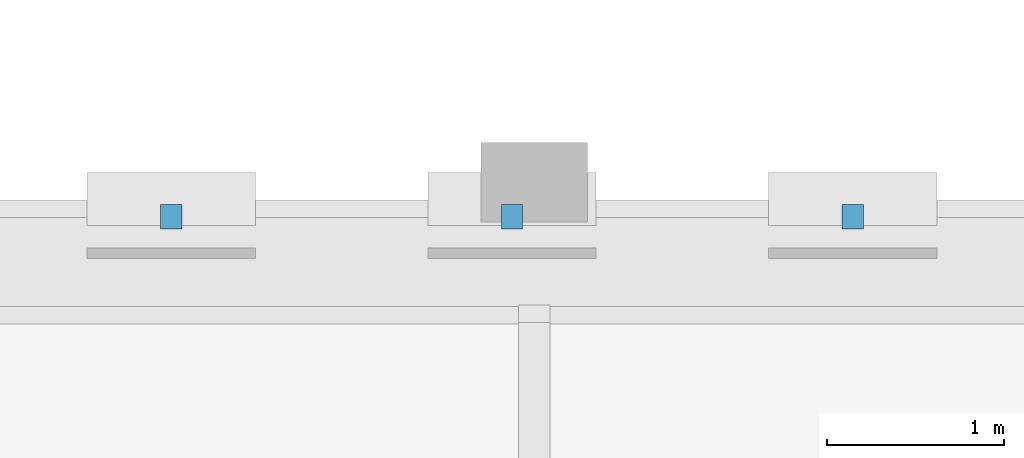
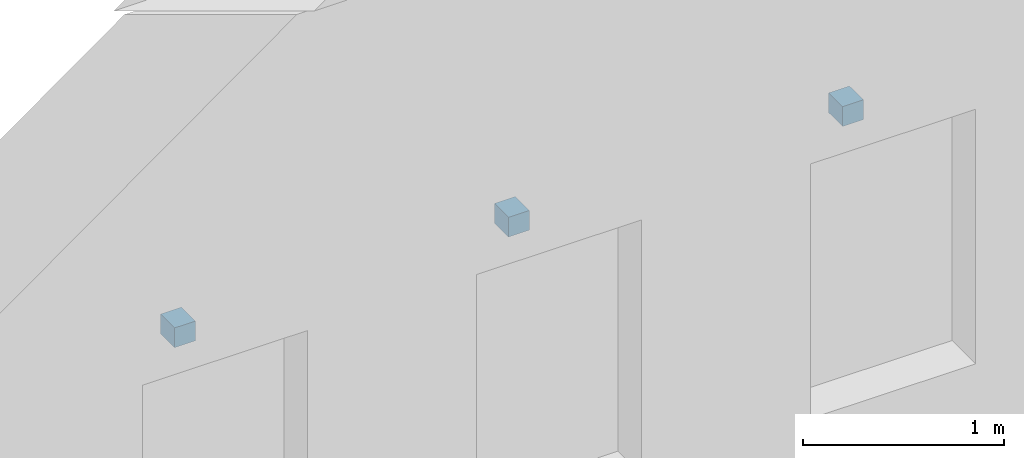
# One storey, part 103 of 113: 3 discrete accessories.
"""IFC4 building model written with IfcOpenShell, lengths in metres."""

import ifcopenshell
import ifcopenshell.guid

model = None  # the IFC model being written
_history = None  # IfcOwnerHistory: only IFC2X3 demands one
_inside = {}  # id of a spatial element -> (the spatial element, [elements in it])
_under = {}  # id of a project, library or spatial element -> (it, [spatial elements below it])
_declared = {}  # id of a project -> (the project, [libraries it declares])
_typed = {}  # id of a type object -> (the type object, [elements of that type])
_made_of = {}  # id of a material, layer set ... -> (it, [elements and type objects made of it])


def new_model(schema):
    """Start an empty IFC model of exactly this schema.

    Asked for "IFC4X3", IfcOpenShell would pick the latest addendum, in which some entities
    have other attributes; the version numbers below select the first issue.
    IFC2X3 requires an IfcOwnerHistory on every rooted entity: one is made here for all.
    """
    global model, _history
    if schema == "IFC4X3":
        model = ifcopenshell.file(schema_version=(4, 3, 0, 0))
    else:
        model = ifcopenshell.file(schema=schema)
    _inside.clear()
    _under.clear()
    _declared.clear()
    _typed.clear()
    _made_of.clear()
    _history = None
    if model.schema == "IFC2X3":
        org = make("IfcOrganization", Name="unknown")
        user = make(
            "IfcPersonAndOrganization",
            ThePerson=make("IfcPerson", FamilyName="unknown"),
            TheOrganization=org,
        )
        app = make(
            "IfcApplication",
            ApplicationDeveloper=org,
            Version="unknown",
            ApplicationFullName="unknown",
            ApplicationIdentifier="unknown",
        )
        _history = make(
            "IfcOwnerHistory",
            OwningUser=user,
            OwningApplication=app,
            ChangeAction="ADDED",
            CreationDate=0,
        )
    return model


def make(cls, **values):
    """One entity of the class cls with the attributes given. An attribute that is None is left unset."""
    return model.create_entity(
        cls, **{name: value for name, value in values.items() if value is not None}
    )


def rooted(cls, **values):
    """An entity with a GlobalId (a new one), such as an element, a storey or a relation."""
    return make(cls, GlobalId=ifcopenshell.guid.new(), OwnerHistory=_history, **values)


def si_unit(unit_type, name, prefix=None):
    """IfcSIUnit, for example si_unit("LENGTHUNIT", "METRE", prefix="MILLI")."""
    return make("IfcSIUnit", UnitType=unit_type, Prefix=prefix, Name=name)


def assignment(units):
    """IfcUnitAssignment: the units of a project."""
    return None if units is None else make("IfcUnitAssignment", Units=units)


def point(xyz):
    """IfcCartesianPoint."""
    return None if xyz is None else make("IfcCartesianPoint", Coordinates=xyz)


def direction(xyz):
    """IfcDirection."""
    return None if xyz is None else make("IfcDirection", DirectionRatios=xyz)


def frame(location, z_axis=None, x_axis=None):
    """IfcAxis2Placement3D, a coordinate frame: its origin and axes. An axis left out is left unset."""
    return make(
        "IfcAxis2Placement3D",
        Location=point(location),
        Axis=direction(z_axis),
        RefDirection=direction(x_axis),
    )


def frame_2d(location, x_axis=None):
    """IfcAxis2Placement2D, a coordinate frame in the plane: its origin and x axis."""
    return make(
        "IfcAxis2Placement2D", Location=point(location), RefDirection=direction(x_axis)
    )


def origin():
    """The frame at (0, 0, 0) with its axes left unset."""
    return frame((0.0, 0.0, 0.0))


def origin_2d():
    """The frame at (0, 0) in the plane with its x axis left unset."""
    return frame_2d((0.0, 0.0))


def place(relative_to, where):
    """IfcLocalPlacement: puts the frame where relative to a parent placement (None: the world)."""
    return make(
        "IfcLocalPlacement", PlacementRelTo=relative_to, RelativePlacement=where
    )


def context(
    kind, dimensions, precision=None, world=None, true_north=None, identifier=None
):
    """IfcGeometricRepresentationContext, for example the 3D "Model" context."""
    return make(
        "IfcGeometricRepresentationContext",
        ContextIdentifier=identifier,
        ContextType=kind,
        CoordinateSpaceDimension=dimensions,
        Precision=precision,
        WorldCoordinateSystem=world,
        TrueNorth=true_north,
    )


def subcontext(parent, identifier, kind, view, scale=None):
    """IfcGeometricRepresentationSubContext, for example "Body" below "Model"."""
    return make(
        "IfcGeometricRepresentationSubContext",
        ContextIdentifier=identifier,
        ContextType=kind,
        ParentContext=parent,
        TargetScale=scale,
        TargetView=view,
    )


def project(units=None, contexts=None):
    """IfcProject with its units and contexts."""
    return rooted(
        "IfcProject",
        Name="project",
        RepresentationContexts=contexts,
        UnitsInContext=assignment(units),
    )


def spatial(cls, under=None, at=None, **own):
    """A site, building, storey or space (cls), placed at a placement, below another one or the project."""
    s = rooted(cls, ObjectPlacement=at, **own)
    if under is not None:
        _under.setdefault(under.id(), (under, []))[1].append(s)
    return s


def profile(cls, at=None, kind="AREA", **sizes):
    """A parametric profile (cls). Its sizes go by their IFC names, for example OverallWidth=200.0."""
    return make(cls, ProfileType=kind, Position=at, **sizes)


def rectangle(**sizes):
    """IfcRectangleProfileDef."""
    return profile("IfcRectangleProfileDef", **sizes)


def extrude(swept, where, along, depth):
    """IfcExtrudedAreaSolid: the profile swept, set in the frame where, extruded along a direction by depth."""
    return make(
        "IfcExtrudedAreaSolid",
        SweptArea=swept,
        Position=where,
        ExtrudedDirection=direction(along),
        Depth=depth,
    )


def shape(context_of_items, identifier, shape_type, items):
    """IfcShapeRepresentation: the items that make up one representation, for example the "Body"."""
    return make(
        "IfcShapeRepresentation",
        ContextOfItems=context_of_items,
        RepresentationIdentifier=identifier,
        RepresentationType=shape_type,
        Items=items,
    )


def material(Name=None, Category=None):
    """IfcMaterial."""
    return make("IfcMaterial", Name=Name, Category=Category)


def made_of(thing, what):
    """Note that an element or type object is made of a material, layer set ...; save() writes the relation."""
    if what is not None:
        _made_of.setdefault(what.id(), (what, []))[1].append(thing)
    return thing


def type_object(cls, material=None, **own):
    """A type object (cls), such as IfcWallType, which elements share."""
    return made_of(rooted(cls, **own), material)


def element(
    cls,
    number,
    at=None,
    inside=None,
    cuts=None,
    type_object=None,
    material=None,
    context=None,
    identifier="Body",
    shape_type=None,
    held_by="IfcProductDefinitionShape",
    body=None,
    shapes=None,
    **own,
):
    """One element of the class cls, such as IfcWall. Its Tag is "e" and its number.

    at: its placement. inside: the storey or other place that contains it. cuts: it is an
    opening in that element (IfcRelVoidsElement). A single representation is given by context,
    identifier, shape_type and body (its items); several are given by shapes. held_by: the class
    of the entity that holds the representations. save() writes the other relations.
    """
    e = rooted(cls, Tag="e%d" % number, ObjectPlacement=at, **own)
    if body is not None:
        shapes = [shape(context, identifier, shape_type, body)]
    if shapes is not None:
        e.Representation = make(held_by, Representations=shapes)
    if inside is not None:
        _inside.setdefault(inside.id(), (inside, []))[1].append(e)
    if cuts is not None:
        rooted(
            "IfcRelVoidsElement", RelatingBuildingElement=cuts, RelatedOpeningElement=e
        )
    if type_object is not None:
        _typed.setdefault(type_object.id(), (type_object, []))[1].append(e)
    return made_of(e, material)


def aggregate(whole, parts):
    """IfcRelAggregates: a whole, such as a stair, and the parts it consists of."""
    return rooted("IfcRelAggregates", RelatingObject=whole, RelatedObjects=parts)


def save(model, path):
    """Write the relations noted so far, then the file.

    IfcRelAggregates (storeys below a building ...), IfcRelContainedInSpatialStructure (elements
    in a storey), IfcRelDefinesByType, IfcRelAssociatesMaterial and IfcRelDeclares: one each for
    every whole, place, type object, material and project.
    """
    for whole, parts in _under.values():
        aggregate(whole, parts)
    for where, things in _inside.values():
        rooted(
            "IfcRelContainedInSpatialStructure",
            RelatedElements=things,
            RelatingStructure=where,
        )
    for kind, things in _typed.values():
        rooted("IfcRelDefinesByType", RelatedObjects=things, RelatingType=kind)
    for what, things in _made_of.values():
        rooted("IfcRelAssociatesMaterial", RelatedObjects=things, RelatingMaterial=what)
    for by, libraries in _declared.values():
        rooted("IfcRelDeclares", RelatingContext=by, RelatedDefinitions=libraries)
    model.write(path)


model = new_model("IFC4")

# Units and contexts
model_context = context("Model", 3, precision=1e-05, world=origin(), true_north=direction((0.0, 1.0)))
body_context = subcontext(model_context, "Body", "Model", "MODEL_VIEW")
ifc_project = project(units=[si_unit("LENGTHUNIT", "METRE"), si_unit("AREAUNIT", "SQUARE_METRE"), si_unit("VOLUMEUNIT", "CUBIC_METRE"), si_unit("PLANEANGLEUNIT", "RADIAN"), si_unit("MASSUNIT", "GRAM", prefix="KILO"), si_unit("POWERUNIT", "WATT"), si_unit("THERMODYNAMICTEMPERATUREUNIT", "KELVIN")], contexts=[model_context])

# Site, building, storey
site_placement = place(None, origin())
site = spatial("IfcSite", under=ifc_project, at=site_placement, CompositionType="ELEMENT")
building_placement = place(site_placement, origin())
building = spatial("IfcBuilding", under=site, at=building_placement, Name="Kelmbourne Parkland Aquatics Centre", CompositionType="ELEMENT")
storey_placement = place(building_placement, origin())
storey = spatial("IfcBuildingStorey", under=building, at=storey_placement, Name="L00", CompositionType="ELEMENT", Elevation=0.0)

# Discrete accessories
ifc_material = material(Name="Hot-dip galvanised structural steel AS/NZS 4680", Category="steel")
discrete_accessory_type = type_object("IfcDiscreteAccessoryType", Name="ACC-BRK-1", PredefinedType="BRACKET", material=ifc_material)
for number, where, z_axis, x_axis, name in (
    (1, (33.951904296875, 103.655029296875, 2.139892578125), (0.0, 0.0, 1.0), (1.0, 0.0, 0.0), "Galvanised sunshade fixing bracket 042"),
    (2, (35.875, 103.655029296875, 2.139892578125), (0.0, 0.0, 1.0), (1.0, 0.0, 0.0), "Galvanised sunshade fixing bracket 043"),
    (3, (37.798095703125, 103.655029296875, 2.139892578125), (0.0, 0.0, 1.0), (1.0, 0.0, 0.0), "Galvanised sunshade fixing bracket 044"),
):
    element("IfcDiscreteAccessory", number, at=place(storey_placement, frame(where, z_axis=z_axis, x_axis=x_axis)), inside=storey, type_object=discrete_accessory_type, Name=name, PredefinedType="BRACKET", context=body_context, shape_type="SweptSolid", body=[
        extrude(rectangle(XDim=0.1201171875, YDim=0.139892578125, at=origin_2d()), origin(), (0.0, 0.0, 1.0), 0.1201171875),
    ])

save(model, "model.ifc")
